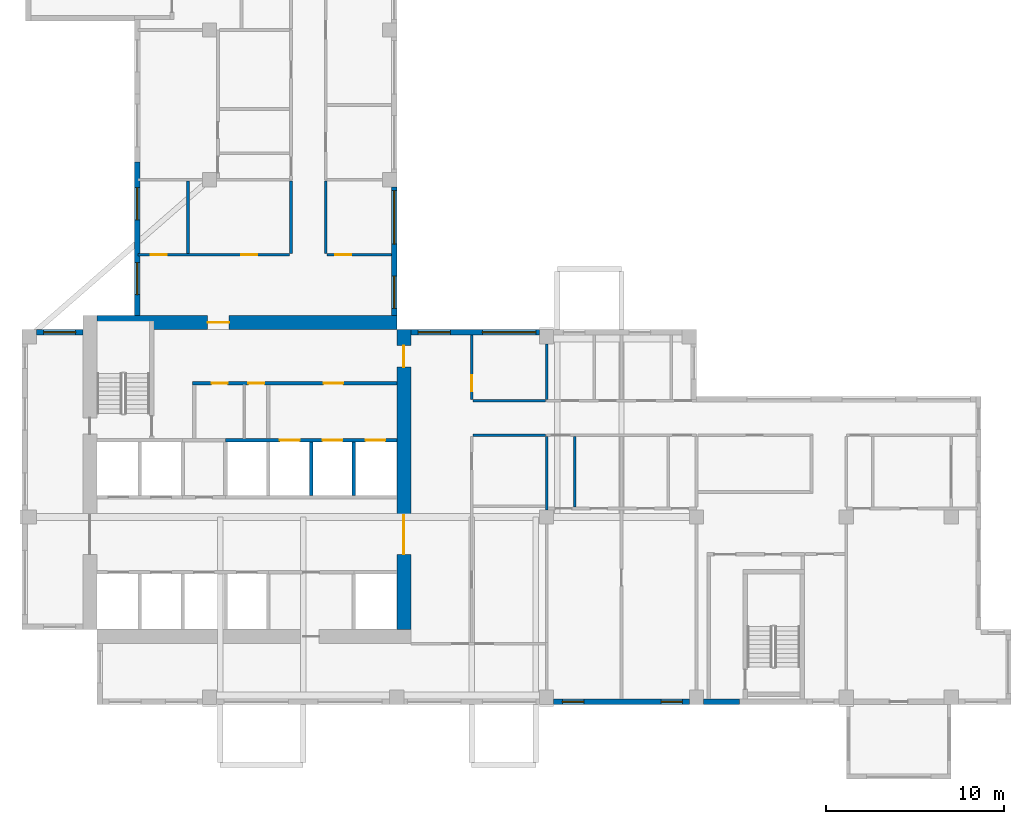
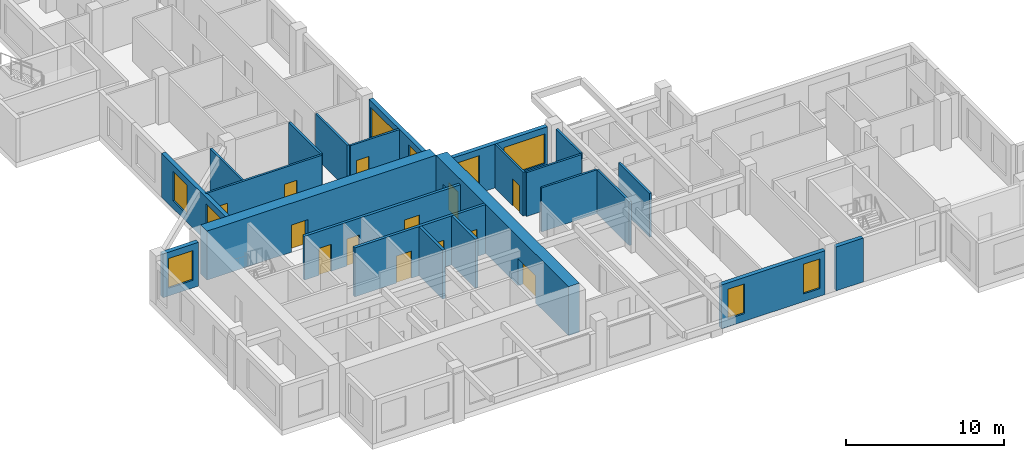
# One storey, part 3 of 11: 23 walls, 13 doors, 9 windows, 22 openings.
"""IFC4 building model written with IfcOpenShell, lengths in metres."""

from ifc_helpers import new_model, si_unit, direction, frame, frame_2d, origin, place, context, subcontext, project, spatial, rectangle, extrude, source, transform, mapped, material, layer, layer_set, type_object, element, fill, save


model = new_model("IFC4")

# Units and contexts
model_context = context("Model", 3, precision=1e-05, world=origin(), true_north=direction((0.0, 1.0)))
body_context = subcontext(model_context, "Body", "Model", "MODEL_VIEW")
ifc_project = project(units=[si_unit("LENGTHUNIT", "METRE"), si_unit("AREAUNIT", "SQUARE_METRE"), si_unit("VOLUMEUNIT", "CUBIC_METRE"), si_unit("PLANEANGLEUNIT", "RADIAN"), si_unit("MASSUNIT", "GRAM", prefix="KILO")], contexts=[model_context])

# Site, building, storey
site_placement = place(None, origin())
site = spatial("IfcSite", under=ifc_project, at=site_placement, CompositionType="ELEMENT")
building_placement = place(site_placement, origin())
building = spatial("IfcBuilding", under=site, at=building_placement, Name="Aurelian Terraces", CompositionType="ELEMENT")
storey_placement = place(building_placement, frame((0.0, 0.0, 227.2)))
storey = spatial("IfcBuildingStorey", under=building, at=storey_placement, Name="L51", CompositionType="ELEMENT", Elevation=227.2)

# Wall, openings, windows
ifc_material_1 = material(Name="Terracotta rainscreen cladding", Category="masonry")
ifc_layer_1 = layer(ifc_material_1, 0.3)
ifc_layer_set_1 = layer_set([ifc_layer_1], Name="EW-300")
wall_type_1 = type_object("IfcWallType", Name="EW-300", PredefinedType="STANDARD", material=ifc_layer_set_1)
wall_1_placement = place(storey_placement, frame((29.8, 0.15, 0.0), z_axis=(0.0, 0.0, 1.0), x_axis=(1.0, 0.0, 0.0)))
wall_1 = element("IfcWall", 1, at=wall_1_placement, inside=storey, type_object=wall_type_1, Name="External wall L51 F01.4", PredefinedType="STANDARD", context=body_context, shape_type="SweptSolid", body=[
    extrude(rectangle(XDim=7.6, YDim=0.3, at=frame_2d((3.8, 0.0))), origin(), (0.0, 0.0, 1.0), 3.4),
])
shared_shape_1 = source(origin(), body_context, "Body", "SweptSolid", [
    extrude(rectangle(XDim=1.2, YDim=2.3, at=frame_2d((0.6, 1.15))), frame((0.0, 0.16, 0.0), z_axis=(0.0, -1.0, 0.0), x_axis=(1.0, 0.0, 0.0)), (0.0, 0.0, 1.0), 0.32),
])
opening_1_placement = place(wall_1_placement, frame((0.4875, 0.0, 0.6)))
opening_1 = element("IfcOpeningElement", 2, at=opening_1_placement, cuts=wall_1, Name="Opening W1223", PredefinedType="OPENING", context=body_context, shape_type="MappedRepresentation", body=[
    mapped(shared_shape_1, transform((0.0, 0.0, 0.0), scale=1.0)),
])
opening_2_placement = place(wall_1_placement, frame((6.0125, 0.0, 0.6)))
opening_2 = element("IfcOpeningElement", 3, at=opening_2_placement, cuts=wall_1, Name="Opening W1223", PredefinedType="OPENING", context=body_context, shape_type="MappedRepresentation", body=[
    mapped(shared_shape_1, transform((0.0, 0.0, 0.0), scale=1.0)),
])
ifc_material_2 = material(Name="Clear glazing", Category="glass")
window_type_1 = type_object("IfcWindowType", Name="W-1200x2300", PartitioningType="SINGLE_PANEL", PredefinedType="WINDOW", material=ifc_material_2)
shared_shape_2 = source(origin(), body_context, "Body", "SweptSolid", [
    extrude(rectangle(XDim=1.2, YDim=2.3, at=frame_2d((0.6, 1.15))), frame((0.0, 0.03, 0.0), z_axis=(0.0, -1.0, 0.0), x_axis=(1.0, 0.0, 0.0)), (0.0, 0.0, 1.0), 0.06),
])
window_1_placement = place(opening_1_placement, origin())
window_1 = element("IfcWindow", 4, at=window_1_placement, inside=storey, type_object=window_type_1, Name="Window L51 L51-F01-04-0", OverallHeight=2.3, OverallWidth=1.2, PartitioningType="SINGLE_PANEL", PredefinedType="WINDOW", context=body_context, shape_type="MappedRepresentation", body=[
    mapped(shared_shape_2, transform((0.0, 0.0, 0.0), scale=1.0)),
])
fill(opening_1, window_1)
window_2_placement = place(opening_2_placement, origin())
window_2 = element("IfcWindow", 5, at=window_2_placement, inside=storey, type_object=window_type_1, Name="Window L51 L51-F01-04-1", OverallHeight=2.3, OverallWidth=1.2, PartitioningType="SINGLE_PANEL", PredefinedType="WINDOW", context=body_context, shape_type="MappedRepresentation", body=[
    mapped(shared_shape_2, transform((0.0, 0.0, 0.0), scale=1.0)),
])
fill(opening_2, window_2)

# Wall
wall_2_placement = place(storey_placement, frame((38.2, 0.15, 0.0), z_axis=(0.0, 0.0, 1.0), x_axis=(1.0, 0.0, 0.0)))
element("IfcWall", 6, at=wall_2_placement, inside=storey, type_object=wall_type_1, Name="External wall L51 F01.5", PredefinedType="STANDARD", context=body_context, shape_type="SweptSolid", body=[
    extrude(rectangle(XDim=2.0, YDim=0.3, at=frame_2d((1.0, 0.0))), origin(), (0.0, 0.0, 1.0), 3.4),
])

# Wall, openings, windows
wall_3_placement = place(storey_placement, frame((29.0, 20.85, 0.0), z_axis=(0.0, 0.0, 1.0), x_axis=(-1.0, 0.0, 0.0)))
wall_3 = element("IfcWall", 7, at=wall_3_placement, inside=storey, type_object=wall_type_1, Name="External wall L51 F07.16", PredefinedType="STANDARD", context=body_context, shape_type="SweptSolid", body=[
    extrude(rectangle(XDim=7.2, YDim=0.3, at=frame_2d((3.6, 0.0))), origin(), (0.0, 0.0, 1.0), 3.4),
])
shared_shape_3 = source(origin(), body_context, "Body", "SweptSolid", [
    extrude(rectangle(XDim=3.0, YDim=2.3, at=frame_2d((1.5, 1.15))), frame((0.0, 0.16, 0.0), z_axis=(0.0, -1.0, 0.0), x_axis=(1.0, 0.0, 0.0)), (0.0, 0.0, 1.0), 0.32),
])
opening_3_placement = place(wall_3_placement, frame((0.2, 0.0, 0.6)))
opening_3 = element("IfcOpeningElement", 8, at=opening_3_placement, cuts=wall_3, Name="Opening W3023", PredefinedType="OPENING", context=body_context, shape_type="MappedRepresentation", body=[
    mapped(shared_shape_3, transform((0.0, 0.0, 0.0), scale=1.0)),
])
shared_shape_4 = source(origin(), body_context, "Body", "SweptSolid", [
    extrude(rectangle(XDim=1.8, YDim=2.3, at=frame_2d((0.9, 1.15))), frame((0.0, 0.16, 0.0), z_axis=(0.0, -1.0, 0.0), x_axis=(1.0, 0.0, 0.0)), (0.0, 0.0, 1.0), 0.32),
])
opening_4_placement = place(wall_3_placement, frame((5.0, 0.0, 0.6)))
opening_4 = element("IfcOpeningElement", 9, at=opening_4_placement, cuts=wall_3, Name="Opening W1823", PredefinedType="OPENING", context=body_context, shape_type="MappedRepresentation", body=[
    mapped(shared_shape_4, transform((0.0, 0.0, 0.0), scale=1.0)),
])
window_type_2 = type_object("IfcWindowType", Name="W-3000x2300", PartitioningType="SINGLE_PANEL", PredefinedType="WINDOW", material=ifc_material_2)
shared_shape_5 = source(origin(), body_context, "Body", "SweptSolid", [
    extrude(rectangle(XDim=3.0, YDim=2.3, at=frame_2d((1.5, 1.15))), frame((0.0, 0.03, 0.0), z_axis=(0.0, -1.0, 0.0), x_axis=(1.0, 0.0, 0.0)), (0.0, 0.0, 1.0), 0.06),
])
window_3_placement = place(opening_3_placement, origin())
window_3 = element("IfcWindow", 10, at=window_3_placement, inside=storey, type_object=window_type_2, Name="Window L51 L51-F07-16-0", OverallHeight=2.3, OverallWidth=3.0, PartitioningType="SINGLE_PANEL", PredefinedType="WINDOW", context=body_context, shape_type="MappedRepresentation", body=[
    mapped(shared_shape_5, transform((0.0, 0.0, 0.0), scale=1.0)),
])
fill(opening_3, window_3)
window_type_3 = type_object("IfcWindowType", Name="W-1800x2300", PartitioningType="SINGLE_PANEL", PredefinedType="WINDOW", material=ifc_material_2)
shared_shape_6 = source(origin(), body_context, "Body", "SweptSolid", [
    extrude(rectangle(XDim=1.8, YDim=2.3, at=frame_2d((0.9, 1.15))), frame((0.0, 0.03, 0.0), z_axis=(0.0, -1.0, 0.0), x_axis=(1.0, 0.0, 0.0)), (0.0, 0.0, 1.0), 0.06),
])
window_4_placement = place(opening_4_placement, origin())
window_4 = element("IfcWindow", 11, at=window_4_placement, inside=storey, type_object=window_type_3, Name="Window L51 L51-F07-16-1", OverallHeight=2.3, OverallWidth=1.8, PartitioningType="SINGLE_PANEL", PredefinedType="WINDOW", context=body_context, shape_type="MappedRepresentation", body=[
    mapped(shared_shape_6, transform((0.0, 0.0, 0.0), scale=1.0)),
])
fill(opening_4, window_4)

# Wall, opening, window
wall_4_placement = place(storey_placement, frame((3.4, 20.85, 0.0), z_axis=(0.0, 0.0, 1.0), x_axis=(-1.0, 0.0, 0.0)))
wall_4 = element("IfcWall", 12, at=wall_4_placement, inside=storey, type_object=wall_type_1, Name="External wall L51 F19.32", PredefinedType="STANDARD", context=body_context, shape_type="SweptSolid", body=[
    extrude(rectangle(XDim=2.6, YDim=0.3, at=frame_2d((1.3, 0.0))), origin(), (0.0, 0.0, 1.0), 3.4),
])
opening_5_placement = place(wall_4_placement, frame((0.4, 0.0, 0.6)))
opening_5 = element("IfcOpeningElement", 13, at=opening_5_placement, cuts=wall_4, Name="Opening W1823", PredefinedType="OPENING", context=body_context, shape_type="MappedRepresentation", body=[
    mapped(shared_shape_4, transform((0.0, 0.0, 0.0), scale=1.0)),
])
window_5_placement = place(opening_5_placement, origin())
window_5 = element("IfcWindow", 14, at=window_5_placement, inside=storey, type_object=window_type_3, Name="Window L51 L51-F19-32-0", OverallHeight=2.3, OverallWidth=1.8, PartitioningType="SINGLE_PANEL", PredefinedType="WINDOW", context=body_context, shape_type="MappedRepresentation", body=[
    mapped(shared_shape_6, transform((0.0, 0.0, 0.0), scale=1.0)),
])
fill(opening_5, window_5)

# Walls
ifc_material_3 = material(Name="Gypsum board on steel studs", Category="steel")
ifc_layer_2 = layer(ifc_material_3, 0.15)
ifc_layer_set_2 = layer_set([ifc_layer_2], Name="Partition 150")
wall_type_2 = type_object("IfcWallType", Name="Partition 150", PredefinedType="PARTITIONING", material=ifc_layer_set_2)
wall_5_placement = place(storey_placement, frame((29.4, 10.899, 0.0), z_axis=(0.0, 0.0, 1.0), x_axis=(0.0, 1.0, 0.0)))
element("IfcWall", 15, at=wall_5_placement, inside=storey, type_object=wall_type_2, Name="Partition", PredefinedType="PARTITIONING", context=body_context, shape_type="SweptSolid", body=[
    extrude(rectangle(XDim=4.101, YDim=0.15, at=frame_2d((2.0505, 0.0))), origin(), (0.0, 0.0, 1.0), 3.4),
])
wall_6_placement = place(storey_placement, frame((29.4, 17.1, 0.0), z_axis=(0.0, 0.0, 1.0), x_axis=(0.0, 1.0, 0.0)))
element("IfcWall", 16, at=wall_6_placement, inside=storey, type_object=wall_type_2, Name="Partition", PredefinedType="PARTITIONING", context=body_context, shape_type="SweptSolid", body=[
    extrude(rectangle(XDim=3.101, YDim=0.15, at=frame_2d((1.5505, 0.0))), origin(), (0.0, 0.0, 1.0), 3.4),
])
wall_7_placement = place(storey_placement, frame((30.975, 11.05, 0.0), z_axis=(0.0, 0.0, 1.0), x_axis=(0.0, 1.0, 0.0)))
element("IfcWall", 17, at=wall_7_placement, inside=storey, type_object=wall_type_2, Name="Partition", PredefinedType="PARTITIONING", context=body_context, shape_type="SweptSolid", body=[
    extrude(rectangle(XDim=3.95, YDim=0.15, at=frame_2d((1.975, 0.0))), origin(), (0.0, 0.0, 1.0), 3.4),
])

# Wall, openings, doors
ifc_material_4 = material(Name="Concrete fc' 70 MPa", Category="concrete")
ifc_layer_3 = layer(ifc_material_4, 0.8)
ifc_layer_set_3 = layer_set([ifc_layer_3], Name="CORE WALL 800 FC70")
wall_type_3 = type_object("IfcWallType", Name="CORE WALL 800 FC70", PredefinedType="SHEAR", material=ifc_layer_set_3)
shared_shape_7 = source(origin(), body_context, "Body", "SweptSolid", [
    extrude(rectangle(XDim=16.8, YDim=0.8, at=frame_2d((8.4, 0.0))), origin(), (0.0, 0.0, 1.0), 3.8),
])
wall_8_placement = place(storey_placement, frame((21.4, 4.2, 0.0), z_axis=(0.0, 0.0, 1.0), x_axis=(0.0, 1.0, 0.0)))
wall_8 = element("IfcWall", 18, at=wall_8_placement, inside=storey, type_object=wall_type_3, Name="Core wall E L51", PredefinedType="SHEAR", context=body_context, shape_type="MappedRepresentation", body=[
    mapped(shared_shape_7, transform((0.0, 0.0, 0.0), scale=1.0)),
])
shared_shape_8 = source(origin(), body_context, "Body", "SweptSolid", [
    extrude(rectangle(XDim=2.2, YDim=2.1, at=frame_2d((1.1, 1.05))), frame((0.0, 0.41, 0.0), z_axis=(0.0, -1.0, 0.0), x_axis=(1.0, 0.0, 0.0)), (0.0, 0.0, 1.0), 0.82),
])
opening_6_placement = place(wall_8_placement, frame((4.2, 0.0, 0.0)))
opening_6 = element("IfcOpeningElement", 19, at=opening_6_placement, cuts=wall_8, Name="Opening 65421", PredefinedType="OPENING", context=body_context, shape_type="MappedRepresentation", body=[
    mapped(shared_shape_8, transform((0.0, 0.0, 0.0), scale=1.0)),
])
shared_shape_9 = source(origin(), body_context, "Body", "SweptSolid", [
    extrude(rectangle(XDim=1.2, YDim=2.1, at=frame_2d((0.6, 1.05))), frame((0.0, 0.41, 0.0), z_axis=(0.0, -1.0, 0.0), x_axis=(1.0, 0.0, 0.0)), (0.0, 0.0, 1.0), 0.82),
])
opening_7_placement = place(wall_8_placement, frame((14.7, 0.0, 0.0)))
opening_7 = element("IfcOpeningElement", 20, at=opening_7_placement, cuts=wall_8, Name="Opening 65424", PredefinedType="OPENING", context=body_context, shape_type="MappedRepresentation", body=[
    mapped(shared_shape_9, transform((0.0, 0.0, 0.0), scale=1.0)),
])
ifc_material_5 = material(Name="Steel door leaf", Category="steel")
door_type_1 = type_object("IfcDoorType", Name="Core fire door 1200x2100 right", OperationType="SINGLE_SWING_RIGHT", PredefinedType="DOOR", material=ifc_material_5)
shared_shape_10 = source(origin(), body_context, "Body", "SweptSolid", [
    extrude(rectangle(XDim=1.2, YDim=2.1, at=frame_2d((0.6, 1.05))), frame((0.0, 0.025, 0.0), z_axis=(0.0, -1.0, 0.0), x_axis=(1.0, 0.0, 0.0)), (0.0, 0.0, 1.0), 0.05),
])
door_1_placement = place(opening_7_placement, origin())
door_1 = element("IfcDoor", 21, at=door_1_placement, inside=storey, type_object=door_type_1, Name="Core door 65424", OperationType="SINGLE_SWING_RIGHT", OverallHeight=2.1, OverallWidth=1.2, PredefinedType="DOOR", context=body_context, shape_type="MappedRepresentation", body=[
    mapped(shared_shape_10, transform((0.0, 0.0, 0.0), scale=1.0)),
])
fill(opening_7, door_1)
door_type_2 = type_object("IfcDoorType", Name="Core double door 2200x2100", OperationType="DOUBLE_DOOR_SINGLE_SWING", PredefinedType="DOOR", material=ifc_material_5)
shared_shape_11 = source(origin(), body_context, "Body", "SweptSolid", [
    extrude(rectangle(XDim=2.2, YDim=2.1, at=frame_2d((1.1, 1.05))), frame((0.0, 0.025, 0.0), z_axis=(0.0, -1.0, 0.0), x_axis=(1.0, 0.0, 0.0)), (0.0, 0.0, 1.0), 0.05),
])
door_2_placement = place(opening_6_placement, origin())
door_2 = element("IfcDoor", 22, at=door_2_placement, inside=storey, type_object=door_type_2, Name="Core door 65421", OperationType="DOUBLE_DOOR_SINGLE_SWING", OverallHeight=2.1, OverallWidth=2.2, PredefinedType="DOOR", context=body_context, shape_type="MappedRepresentation", body=[
    mapped(shared_shape_11, transform((0.0, 0.0, 0.0), scale=1.0)),
])
fill(opening_6, door_2)

# Wall, opening, door
wall_9_placement = place(storey_placement, frame((4.2, 21.4, 0.0), z_axis=(0.0, 0.0, 1.0), x_axis=(1.0, 0.0, 0.0)))
wall_9 = element("IfcWall", 23, at=wall_9_placement, inside=storey, type_object=wall_type_3, Name="Core wall N L51", PredefinedType="SHEAR", context=body_context, shape_type="MappedRepresentation", body=[
    mapped(shared_shape_7, transform((0.0, 0.0, 0.0), scale=1.0)),
])
opening_8_placement = place(wall_9_placement, frame((6.2, 0.0, 0.0)))
opening_8 = element("IfcOpeningElement", 24, at=opening_8_placement, cuts=wall_9, Name="Opening 65423", PredefinedType="OPENING", context=body_context, shape_type="MappedRepresentation", body=[
    mapped(shared_shape_9, transform((0.0, 0.0, 0.0), scale=1.0)),
])
door_type_3 = type_object("IfcDoorType", Name="Core fire door 1200x2100", OperationType="SINGLE_SWING_LEFT", PredefinedType="DOOR", material=ifc_material_5)
door_3_placement = place(opening_8_placement, origin())
door_3 = element("IfcDoor", 25, at=door_3_placement, inside=storey, type_object=door_type_3, Name="Core door 65423", OperationType="SINGLE_SWING_LEFT", OverallHeight=2.1, OverallWidth=1.2, PredefinedType="DOOR", context=body_context, shape_type="MappedRepresentation", body=[
    mapped(shared_shape_10, transform((0.0, 0.0, 0.0), scale=1.0)),
])
fill(opening_8, door_3)

# Wall, openings, windows
shared_shape_12 = source(origin(), body_context, "Body", "SweptSolid", [
    extrude(rectangle(XDim=7.2, YDim=0.3, at=frame_2d((3.6, 0.0))), origin(), (0.0, 0.0, 1.0), 3.4),
])
wall_10_placement = place(storey_placement, frame((20.85, 21.8, 0.0), z_axis=(0.0, 0.0, 1.0), x_axis=(0.0, 1.0, 0.0)))
wall_10 = element("IfcWall", 26, at=wall_10_placement, inside=storey, type_object=wall_type_1, Name="External wall L51 F08.17", PredefinedType="STANDARD", context=body_context, shape_type="MappedRepresentation", body=[
    mapped(shared_shape_12, transform((0.0, 0.0, 0.0), scale=1.0)),
])
opening_9_placement = place(wall_10_placement, frame((0.4, 0.0, 0.6)))
opening_9 = element("IfcOpeningElement", 27, at=opening_9_placement, cuts=wall_10, Name="Opening W1823", PredefinedType="OPENING", context=body_context, shape_type="MappedRepresentation", body=[
    mapped(shared_shape_4, transform((0.0, 0.0, 0.0), scale=1.0)),
])
opening_10_placement = place(wall_10_placement, frame((4.0, 0.0, 0.6)))
opening_10 = element("IfcOpeningElement", 28, at=opening_10_placement, cuts=wall_10, Name="Opening W3023", PredefinedType="OPENING", context=body_context, shape_type="MappedRepresentation", body=[
    mapped(shared_shape_3, transform((0.0, 0.0, 0.0), scale=1.0)),
])
window_6_placement = place(opening_10_placement, origin())
window_6 = element("IfcWindow", 29, at=window_6_placement, inside=storey, type_object=window_type_2, Name="Window L51 L51-F08-17-1", OverallHeight=2.3, OverallWidth=3.0, PartitioningType="SINGLE_PANEL", PredefinedType="WINDOW", context=body_context, shape_type="MappedRepresentation", body=[
    mapped(shared_shape_5, transform((0.0, 0.0, 0.0), scale=1.0)),
])
fill(opening_10, window_6)
window_7_placement = place(opening_9_placement, origin())
window_7 = element("IfcWindow", 30, at=window_7_placement, inside=storey, type_object=window_type_3, Name="Window L51 L51-F08-17-0", OverallHeight=2.3, OverallWidth=1.8, PartitioningType="SINGLE_PANEL", PredefinedType="WINDOW", context=body_context, shape_type="MappedRepresentation", body=[
    mapped(shared_shape_6, transform((0.0, 0.0, 0.0), scale=1.0)),
])
fill(opening_9, window_7)

shared_shape_13 = source(origin(), body_context, "Body", "SweptSolid", [
    extrude(rectangle(XDim=8.6, YDim=0.3, at=frame_2d((4.3, 0.0))), origin(), (0.0, 0.0, 1.0), 3.4),
])
wall_11_placement = place(storey_placement, frame((6.45, 30.4, 0.0), z_axis=(0.0, 0.0, 1.0), x_axis=(0.0, -1.0, 0.0)))
wall_11 = element("IfcWall", 31, at=wall_11_placement, inside=storey, type_object=wall_type_1, Name="External wall L51 F16.29", PredefinedType="STANDARD", context=body_context, shape_type="MappedRepresentation", body=[
    mapped(shared_shape_13, transform((0.0, 0.0, 0.0), scale=1.0)),
])
opening_11_placement = place(wall_11_placement, frame((1.4375, 0.0, 0.6)))
opening_11 = element("IfcOpeningElement", 32, at=opening_11_placement, cuts=wall_11, Name="Opening W1823", PredefinedType="OPENING", context=body_context, shape_type="MappedRepresentation", body=[
    mapped(shared_shape_4, transform((0.0, 0.0, 0.0), scale=1.0)),
])
opening_12_placement = place(wall_11_placement, frame((5.6375, 0.0, 0.6)))
opening_12 = element("IfcOpeningElement", 33, at=opening_12_placement, cuts=wall_11, Name="Opening W1823", PredefinedType="OPENING", context=body_context, shape_type="MappedRepresentation", body=[
    mapped(shared_shape_4, transform((0.0, 0.0, 0.0), scale=1.0)),
])
window_8_placement = place(opening_11_placement, origin())
window_8 = element("IfcWindow", 34, at=window_8_placement, inside=storey, type_object=window_type_3, Name="Window L51 L51-F16-29-2", OverallHeight=2.3, OverallWidth=1.8, PartitioningType="SINGLE_PANEL", PredefinedType="WINDOW", context=body_context, shape_type="MappedRepresentation", body=[
    mapped(shared_shape_6, transform((0.0, 0.0, 0.0), scale=1.0)),
])
fill(opening_11, window_8)
window_9_placement = place(opening_12_placement, origin())
window_9 = element("IfcWindow", 35, at=window_9_placement, inside=storey, type_object=window_type_3, Name="Window L51 L51-F16-29-3", OverallHeight=2.3, OverallWidth=1.8, PartitioningType="SINGLE_PANEL", PredefinedType="WINDOW", context=body_context, shape_type="MappedRepresentation", body=[
    mapped(shared_shape_6, transform((0.0, 0.0, 0.0), scale=1.0)),
])
fill(opening_12, window_9)

# Walls
ifc_material_6 = material(Name="Concrete fc' 40 MPa", Category="concrete")
ifc_layer_4 = layer(ifc_material_6, 0.2)
ifc_layer_set_4 = layer_set([ifc_layer_4], Name="Lift shaft wall 200")
wall_type_4 = type_object("IfcWallType", Name="Lift shaft wall 200", PredefinedType="SOLIDWALL", material=ifc_layer_set_4)
shared_shape_14 = source(origin(), body_context, "Body", "SweptSolid", [
    extrude(rectangle(XDim=3.0, YDim=0.2, at=frame_2d((1.5, 0.0))), origin(), (0.0, 0.0, 1.0), 3.8),
])
for number, where, z_axis, x_axis, name in (
    (36, (16.2, 11.7, 0.0), (0.0, 0.0, 1.0), (0.0, 1.0, 0.0), "L51 core wall CD-B5"),
    (37, (18.6, 11.7, 0.0), (0.0, 0.0, 1.0), (0.0, 1.0, 0.0), "L51 core wall CD-B6"),
):
    element("IfcWall", number, at=place(storey_placement, frame(where, z_axis=z_axis, x_axis=x_axis)), inside=storey, type_object=wall_type_4, Name=name, PredefinedType="SOLIDWALL", context=body_context, shape_type="MappedRepresentation", body=[
        mapped(shared_shape_14, transform((0.0, 0.0, 0.0), scale=1.0)),
    ])

# Wall, openings, doors
shared_shape_15 = source(origin(), body_context, "Body", "SweptSolid", [
    extrude(rectangle(XDim=9.6, YDim=0.2, at=frame_2d((4.8, 0.0))), origin(), (0.0, 0.0, 1.0), 3.8),
])
wall_12_placement = place(storey_placement, frame((11.4, 14.8, 0.0), z_axis=(0.0, 0.0, 1.0), x_axis=(1.0, 0.0, 0.0)))
wall_12 = element("IfcWall", 38, at=wall_12_placement, inside=storey, type_object=wall_type_4, Name="L51 core wall CF-BB3", PredefinedType="SOLIDWALL", context=body_context, shape_type="MappedRepresentation", body=[
    mapped(shared_shape_15, transform((0.0, 0.0, 0.0), scale=1.0)),
])
shared_shape_16 = source(origin(), body_context, "Body", "SweptSolid", [
    extrude(rectangle(XDim=1.1, YDim=2.1, at=frame_2d((0.55, 1.05))), frame((0.0, 0.11, 0.0), z_axis=(0.0, -1.0, 0.0), x_axis=(1.0, 0.0, 0.0)), (0.0, 0.0, 1.0), 0.22),
])
opening_13_placement = place(wall_12_placement, frame((3.05, 0.0, 0.0)))
opening_13 = element("IfcOpeningElement", 39, at=opening_13_placement, cuts=wall_12, Name="Opening 65408", PredefinedType="OPENING", context=body_context, shape_type="MappedRepresentation", body=[
    mapped(shared_shape_16, transform((0.0, 0.0, 0.0), scale=1.0)),
])
opening_14_placement = place(wall_12_placement, frame((5.45, 0.0, 0.0)))
opening_14 = element("IfcOpeningElement", 40, at=opening_14_placement, cuts=wall_12, Name="Opening 65409", PredefinedType="OPENING", context=body_context, shape_type="MappedRepresentation", body=[
    mapped(shared_shape_16, transform((0.0, 0.0, 0.0), scale=1.0)),
])
opening_15_placement = place(wall_12_placement, frame((7.85, 0.0, 0.0)))
opening_15 = element("IfcOpeningElement", 41, at=opening_15_placement, cuts=wall_12, Name="Opening 65410", PredefinedType="OPENING", context=body_context, shape_type="MappedRepresentation", body=[
    mapped(shared_shape_16, transform((0.0, 0.0, 0.0), scale=1.0)),
])
ifc_material_7 = material(Name="Stainless steel", Category="steel")
door_type_4 = type_object("IfcDoorType", Name="Lift landing door 1100x2100", OperationType="SLIDING_TO_LEFT", PredefinedType="DOOR", material=ifc_material_7)
shared_shape_17 = source(origin(), body_context, "Body", "SweptSolid", [
    extrude(rectangle(XDim=1.1, YDim=2.1, at=frame_2d((0.55, 1.05))), frame((0.0, 0.025, 0.0), z_axis=(0.0, -1.0, 0.0), x_axis=(1.0, 0.0, 0.0)), (0.0, 0.0, 1.0), 0.05),
])
door_4_placement = place(opening_13_placement, origin())
door_4 = element("IfcDoor", 42, at=door_4_placement, inside=storey, type_object=door_type_4, Name="Lift landing door F1 L51", OperationType="SLIDING_TO_LEFT", OverallHeight=2.1, OverallWidth=1.1, PredefinedType="DOOR", context=body_context, shape_type="MappedRepresentation", body=[
    mapped(shared_shape_17, transform((0.0, 0.0, 0.0), scale=1.0)),
])
fill(opening_13, door_4)
door_5_placement = place(opening_14_placement, origin())
door_5 = element("IfcDoor", 43, at=door_5_placement, inside=storey, type_object=door_type_4, Name="Lift landing door F2 L51", OperationType="SLIDING_TO_LEFT", OverallHeight=2.1, OverallWidth=1.1, PredefinedType="DOOR", context=body_context, shape_type="MappedRepresentation", body=[
    mapped(shared_shape_17, transform((0.0, 0.0, 0.0), scale=1.0)),
])
fill(opening_14, door_5)
door_6_placement = place(opening_15_placement, origin())
door_6 = element("IfcDoor", 44, at=door_6_placement, inside=storey, type_object=door_type_4, Name="Lift landing door F3 L51", OperationType="SLIDING_TO_LEFT", OverallHeight=2.1, OverallWidth=1.1, PredefinedType="DOOR", context=body_context, shape_type="MappedRepresentation", body=[
    mapped(shared_shape_17, transform((0.0, 0.0, 0.0), scale=1.0)),
])
fill(opening_15, door_6)

ifc_layer_5 = layer(ifc_material_3, 0.2)
ifc_layer_set_5 = layer_set([ifc_layer_5], Name="Core partition 200")
wall_type_5 = type_object("IfcWallType", Name="Core partition 200", PredefinedType="PARTITIONING", material=ifc_layer_set_5)
shared_shape_18 = source(origin(), body_context, "Body", "SweptSolid", [
    extrude(rectangle(XDim=11.45, YDim=0.2, at=frame_2d((5.725, 0.0))), origin(), (0.0, 0.0, 1.0), 3.4),
])
wall_13_placement = place(storey_placement, frame((9.55, 18.0, 0.0), z_axis=(0.0, 0.0, 1.0), x_axis=(1.0, 0.0, 0.0)))
wall_13 = element("IfcWall", 45, at=wall_13_placement, inside=storey, type_object=wall_type_5, Name="L51 core wall CP-NORTH", PredefinedType="PARTITIONING", context=body_context, shape_type="MappedRepresentation", body=[
    mapped(shared_shape_18, transform((0.0, 0.0, 0.0), scale=1.0)),
])
shared_shape_19 = source(origin(), body_context, "Body", "SweptSolid", [
    extrude(rectangle(XDim=0.9, YDim=2.1, at=frame_2d((0.45, 1.05))), frame((0.0, 0.11, 0.0), z_axis=(0.0, -1.0, 0.0), x_axis=(1.0, 0.0, 0.0)), (0.0, 0.0, 1.0), 0.22),
])
opening_16_placement = place(wall_13_placement, frame((1.075, 0.0, 0.0)))
opening_16 = element("IfcOpeningElement", 46, at=opening_16_placement, cuts=wall_13, Name="Opening 65412", PredefinedType="OPENING", context=body_context, shape_type="MappedRepresentation", body=[
    mapped(shared_shape_19, transform((0.0, 0.0, 0.0), scale=1.0)),
])
opening_17_placement = place(wall_13_placement, frame((3.125, 0.0, 0.0)))
opening_17 = element("IfcOpeningElement", 47, at=opening_17_placement, cuts=wall_13, Name="Opening 65413", PredefinedType="OPENING", context=body_context, shape_type="MappedRepresentation", body=[
    mapped(shared_shape_19, transform((0.0, 0.0, 0.0), scale=1.0)),
])
opening_18_placement = place(wall_13_placement, frame((7.35, 0.0, 0.0)))
opening_18 = element("IfcOpeningElement", 48, at=opening_18_placement, cuts=wall_13, Name="Opening 65414", PredefinedType="OPENING", context=body_context, shape_type="MappedRepresentation", body=[
    mapped(shared_shape_16, transform((0.0, 0.0, 0.0), scale=1.0)),
])
door_type_5 = type_object("IfcDoorType", Name="Core service door 900x2100", OperationType="SINGLE_SWING_LEFT", PredefinedType="DOOR", material=ifc_material_5)
shared_shape_20 = source(origin(), body_context, "Body", "SweptSolid", [
    extrude(rectangle(XDim=0.9, YDim=2.1, at=frame_2d((0.45, 1.05))), frame((0.0, 0.025, 0.0), z_axis=(0.0, -1.0, 0.0), x_axis=(1.0, 0.0, 0.0)), (0.0, 0.0, 1.0), 0.05),
])
door_7_placement = place(opening_16_placement, origin())
door_7 = element("IfcDoor", 49, at=door_7_placement, inside=storey, type_object=door_type_5, Name="Room door 65412", OperationType="SINGLE_SWING_LEFT", OverallHeight=2.1, OverallWidth=0.9, PredefinedType="DOOR", context=body_context, shape_type="MappedRepresentation", body=[
    mapped(shared_shape_20, transform((0.0, 0.0, 0.0), scale=1.0)),
])
fill(opening_16, door_7)
door_type_6 = type_object("IfcDoorType", Name="Core riser door 900x2100 right", OperationType="SINGLE_SWING_RIGHT", PredefinedType="DOOR", material=ifc_material_5)
door_8_placement = place(opening_17_placement, origin())
door_8 = element("IfcDoor", 50, at=door_8_placement, inside=storey, type_object=door_type_6, Name="Room door 65413", OperationType="SINGLE_SWING_RIGHT", OverallHeight=2.1, OverallWidth=0.9, PredefinedType="DOOR", context=body_context, shape_type="MappedRepresentation", body=[
    mapped(shared_shape_20, transform((0.0, 0.0, 0.0), scale=1.0)),
])
fill(opening_17, door_8)
door_type_7 = type_object("IfcDoorType", Name="Core fire door 1100x2100", OperationType="SINGLE_SWING_LEFT", PredefinedType="DOOR", material=ifc_material_5)
door_9_placement = place(opening_18_placement, origin())
door_9 = element("IfcDoor", 51, at=door_9_placement, inside=storey, type_object=door_type_7, Name="Ff lobby door 65414", OperationType="SINGLE_SWING_LEFT", OverallHeight=2.1, OverallWidth=1.1, PredefinedType="DOOR", context=body_context, shape_type="MappedRepresentation", body=[
    mapped(shared_shape_17, transform((0.0, 0.0, 0.0), scale=1.0)),
])
fill(opening_18, door_9)

# Wall, opening, door
shared_shape_21 = source(origin(), body_context, "Body", "SweptSolid", [
    extrude(rectangle(XDim=3.6, YDim=0.15, at=frame_2d((1.8, 0.0))), origin(), (0.0, 0.0, 1.0), 3.4),
])
wall_14_placement = place(storey_placement, frame((25.2, 20.7, 0.0), z_axis=(0.0, 0.0, 1.0), x_axis=(0.0, -1.0, 0.0)))
wall_14 = element("IfcWall", 52, at=wall_14_placement, inside=storey, type_object=wall_type_2, Name="Partition", PredefinedType="PARTITIONING", context=body_context, shape_type="MappedRepresentation", body=[
    mapped(shared_shape_21, transform((0.0, 0.0, 0.0), scale=1.0)),
])
shared_shape_22 = source(origin(), body_context, "Body", "SweptSolid", [
    extrude(rectangle(XDim=0.9, YDim=2.1, at=frame_2d((0.45, 1.05))), frame((0.0, 0.085, 0.0), z_axis=(0.0, -1.0, 0.0), x_axis=(1.0, 0.0, 0.0)), (0.0, 0.0, 1.0), 0.17),
])
opening_19_placement = place(wall_14_placement, frame((2.25, 0.0, 0.0)))
opening_19 = element("IfcOpeningElement", 53, at=opening_19_placement, cuts=wall_14, Name="Opening 751003", PredefinedType="OPENING", context=body_context, shape_type="MappedRepresentation", body=[
    mapped(shared_shape_22, transform((0.0, 0.0, 0.0), scale=1.0)),
])
ifc_material_8 = material(Name="Timber door leaf", Category="wood")
door_type_8 = type_object("IfcDoorType", Name="Room door 900x2100 right", OperationType="SINGLE_SWING_RIGHT", PredefinedType="DOOR", material=ifc_material_8)
door_10_placement = place(opening_19_placement, origin())
door_10 = element("IfcDoor", 54, at=door_10_placement, inside=storey, type_object=door_type_8, Name="Door 751003", OperationType="SINGLE_SWING_RIGHT", OverallHeight=2.1, OverallWidth=0.9, PredefinedType="DOOR", context=body_context, shape_type="MappedRepresentation", body=[
    mapped(shared_shape_20, transform((0.0, 0.0, 0.0), scale=1.0)),
])
fill(opening_19, door_10)

wall_15_placement = place(storey_placement, frame((17.1, 25.2, 0.0), z_axis=(0.0, 0.0, 1.0), x_axis=(1.0, 0.0, 0.0)))
wall_15 = element("IfcWall", 55, at=wall_15_placement, inside=storey, type_object=wall_type_2, Name="Partition", PredefinedType="PARTITIONING", context=body_context, shape_type="MappedRepresentation", body=[
    mapped(shared_shape_21, transform((0.0, 0.0, 0.0), scale=1.0)),
])
opening_20_placement = place(wall_15_placement, frame((0.45, 0.0, 0.0)))
opening_20 = element("IfcOpeningElement", 56, at=opening_20_placement, cuts=wall_15, Name="Opening 751023", PredefinedType="OPENING", context=body_context, shape_type="MappedRepresentation", body=[
    mapped(shared_shape_22, transform((0.0, 0.0, 0.0), scale=1.0)),
])
door_11_placement = place(opening_20_placement, origin())
door_11 = element("IfcDoor", 57, at=door_11_placement, inside=storey, type_object=door_type_8, Name="Door 751023", OperationType="SINGLE_SWING_RIGHT", OverallHeight=2.1, OverallWidth=0.9, PredefinedType="DOOR", context=body_context, shape_type="MappedRepresentation", body=[
    mapped(shared_shape_20, transform((0.0, 0.0, 0.0), scale=1.0)),
])
fill(opening_20, door_11)

# Wall, openings, doors
shared_shape_23 = source(origin(), body_context, "Body", "SweptSolid", [
    extrude(rectangle(XDim=8.495, YDim=0.15, at=frame_2d((4.2475, 0.0))), origin(), (0.0, 0.0, 1.0), 3.4),
])
wall_16_placement = place(storey_placement, frame((6.505, 25.2, 0.0), z_axis=(0.0, 0.0, 1.0), x_axis=(1.0, 0.0, 0.0)))
wall_16 = element("IfcWall", 58, at=wall_16_placement, inside=storey, type_object=wall_type_2, Name="Partition", PredefinedType="PARTITIONING", context=body_context, shape_type="MappedRepresentation", body=[
    mapped(shared_shape_23, transform((0.0, 0.0, 0.0), scale=1.0)),
])
opening_21_placement = place(wall_16_placement, frame((0.695, 0.0, 0.0)))
opening_21 = element("IfcOpeningElement", 59, at=opening_21_placement, cuts=wall_16, Name="Opening 751021", PredefinedType="OPENING", context=body_context, shape_type="MappedRepresentation", body=[
    mapped(shared_shape_22, transform((0.0, 0.0, 0.0), scale=1.0)),
])
opening_22_placement = place(wall_16_placement, frame((5.77, 0.0, 0.0)))
opening_22 = element("IfcOpeningElement", 60, at=opening_22_placement, cuts=wall_16, Name="Opening 751022", PredefinedType="OPENING", context=body_context, shape_type="MappedRepresentation", body=[
    mapped(shared_shape_22, transform((0.0, 0.0, 0.0), scale=1.0)),
])
door_12_placement = place(opening_21_placement, origin())
door_12 = element("IfcDoor", 61, at=door_12_placement, inside=storey, type_object=door_type_8, Name="Door 751021", OperationType="SINGLE_SWING_RIGHT", OverallHeight=2.1, OverallWidth=0.9, PredefinedType="DOOR", context=body_context, shape_type="MappedRepresentation", body=[
    mapped(shared_shape_20, transform((0.0, 0.0, 0.0), scale=1.0)),
])
fill(opening_21, door_12)
door_type_9 = type_object("IfcDoorType", Name="Room door 900x2100 left", OperationType="SINGLE_SWING_LEFT", PredefinedType="DOOR", material=ifc_material_8)
door_13_placement = place(opening_22_placement, origin())
door_13 = element("IfcDoor", 62, at=door_13_placement, inside=storey, type_object=door_type_9, Name="Door 751022", OperationType="SINGLE_SWING_LEFT", OverallHeight=2.1, OverallWidth=0.9, PredefinedType="DOOR", context=body_context, shape_type="MappedRepresentation", body=[
    mapped(shared_shape_20, transform((0.0, 0.0, 0.0), scale=1.0)),
])
fill(opening_22, door_13)

# Walls
ifc_layer_6 = layer(ifc_material_3, 0.15)
ifc_layer_set_6 = layer_set([ifc_layer_6], Name="Fire partition 150")
wall_type_6 = type_object("IfcWallType", Name="Fire partition 150", PredefinedType="PARTITIONING", material=ifc_layer_set_6)
shared_shape_24 = source(origin(), body_context, "Body", "SweptSolid", [
    extrude(rectangle(XDim=4.05, YDim=0.15, at=frame_2d((2.025, 0.0))), origin(), (0.0, 0.0, 1.0), 3.4),
])
for number, where, z_axis, x_axis, name in (
    (63, (29.325, 15.075, 0.0), (0.0, 0.0, 1.0), (-1.0, 0.0, 0.0), "Corridor wall"),
    (64, (25.275, 17.025, 0.0), (0.0, 0.0, 1.0), (1.0, 0.0, 0.0), "Corridor wall"),
):
    element("IfcWall", number, at=place(storey_placement, frame(where, z_axis=z_axis, x_axis=x_axis)), inside=storey, type_object=wall_type_6, Name=name, PredefinedType="PARTITIONING", context=body_context, shape_type="MappedRepresentation", body=[
        mapped(shared_shape_24, transform((0.0, 0.0, 0.0), scale=1.0)),
    ])
wall_17_placement = place(storey_placement, frame((9.3, 25.275, 0.0), z_axis=(0.0, 0.0, 1.0), x_axis=(0.0, 1.0, 0.0)))
element("IfcWall", 65, at=wall_17_placement, inside=storey, type_object=wall_type_2, Name="Partition", PredefinedType="PARTITIONING", context=body_context, shape_type="MappedRepresentation", body=[
    mapped(shared_shape_24, transform((0.0, 0.0, 0.0), scale=1.0)),
])
for number, where, z_axis, x_axis, name in (
    (66, (15.075, 25.275, 0.0), (0.0, 0.0, 1.0), (0.0, 1.0, 0.0), "Corridor wall"),
    (67, (17.025, 29.325, 0.0), (0.0, 0.0, 1.0), (0.0, -1.0, 0.0), "Corridor wall"),
):
    element("IfcWall", number, at=place(storey_placement, frame(where, z_axis=z_axis, x_axis=x_axis)), inside=storey, type_object=wall_type_6, Name=name, PredefinedType="PARTITIONING", context=body_context, shape_type="MappedRepresentation", body=[
        mapped(shared_shape_24, transform((0.0, 0.0, 0.0), scale=1.0)),
    ])

save(model, "model.ifc")
